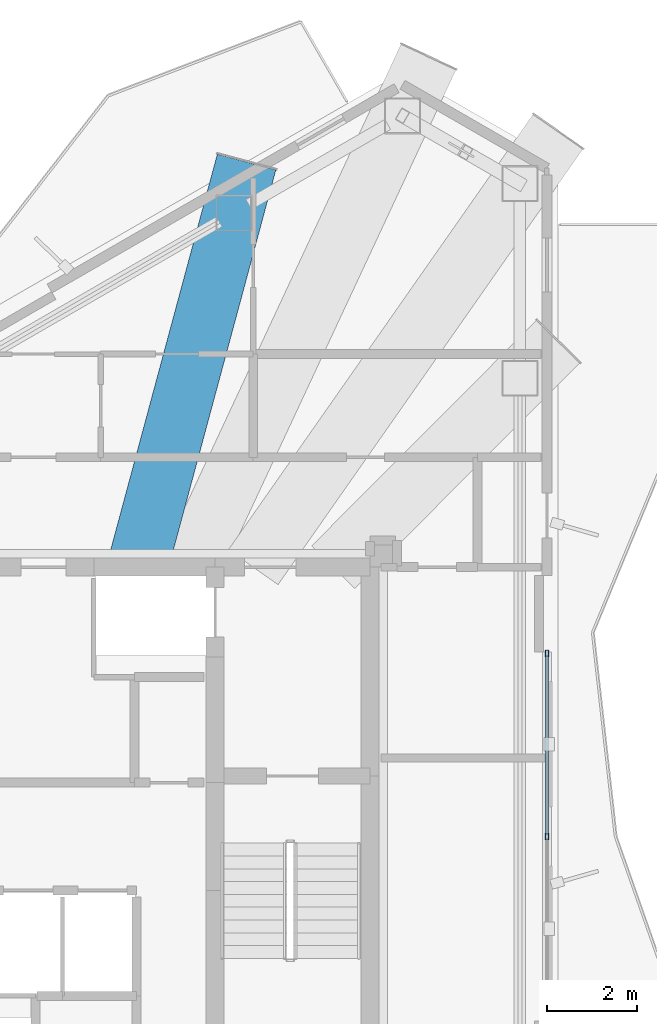
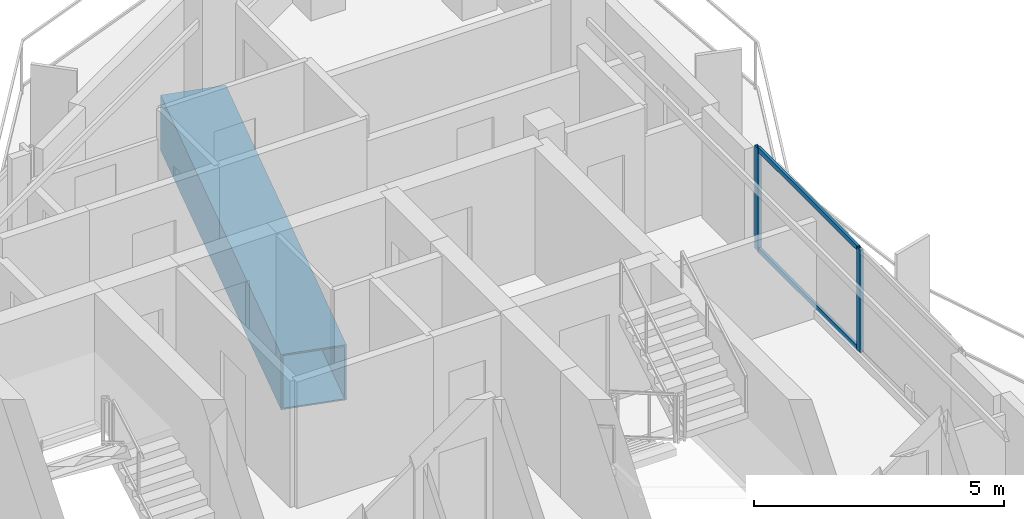
# One storey, part 10 of 17: 4 members, 1 beam, 1 element without a shape of its own.
"""IFC4 building model written with IfcOpenShell, lengths in metres."""

from ifc_helpers import new_model, si_unit, direction, frame, origin, origin_2d, place, context, subcontext, project, spatial, hollow_rectangle, extrude, material, layer, layer_set, material_profile, profile_set, type_object, element, aggregate, save


model = new_model("IFC4")

# Units and contexts
model_context = context("Model", 3, precision=1e-05, world=origin(), true_north=direction((0.0, 1.0)))
body_context = subcontext(model_context, "Body", "Model", "MODEL_VIEW")
ifc_project = project(units=[si_unit("LENGTHUNIT", "METRE"), si_unit("AREAUNIT", "SQUARE_METRE"), si_unit("VOLUMEUNIT", "CUBIC_METRE"), si_unit("PLANEANGLEUNIT", "RADIAN"), si_unit("MASSUNIT", "GRAM", prefix="KILO")], contexts=[model_context])

# Site, building, storey
site_placement = place(None, origin())
site = spatial("IfcSite", under=ifc_project, at=site_placement, CompositionType="ELEMENT")
building_placement = place(site_placement, origin())
building = spatial("IfcBuilding", under=site, at=building_placement, Name="Mersakhor Tower and Convention Hall", CompositionType="ELEMENT")
storey_placement = place(building_placement, frame((0.0, 0.0, 223.199951171875)))
storey = spatial("IfcBuildingStorey", under=building, at=storey_placement, Name="L62", CompositionType="ELEMENT", Elevation=223.199951171875)

# Beam
ifc_material_1 = material(Name="Steel S460", Category="steel")
ifc_material_profile_1 = material_profile(ifc_material_1, hollow_rectangle(XDim=1.35009765625, YDim=1.35009765625, WallThickness=0.035888671875, at=origin_2d()), Name="SHS 1350x1350x36")
ifc_profile_set_1 = profile_set([ifc_material_profile_1], Name="Steel S460")
beam_type = type_object("IfcBeamType", Name="BM-TR-BOX1350", PredefinedType="BEAM", material=ifc_profile_set_1)
beam_placement = place(storey_placement, frame((33.0517578125, 41.777587890625, -0.89501953125), z_axis=(-0.260330226876, -0.965519638834, 0.0), x_axis=(0.965519638834, -0.260330226876, 0.0)))
element("IfcBeam", 1, at=beam_placement, inside=storey, type_object=beam_type, Name="L62 Taper Step Transfer Girder STG-03", PredefinedType="BEAM", context=body_context, shape_type="SweptSolid", body=[
    extrude(hollow_rectangle(XDim=1.35009765625, YDim=1.35009765625, WallThickness=0.035888671875, at=origin_2d()), origin(), (0.0, 0.0, 1.0), 9.35009765625),
])

# Curtain wall, members
ifc_material_2 = material(Name="Dark solar low-E aluminium curtain wall", Category="aluminium")
ifc_layer = layer(ifc_material_2, 0.179931640625)
ifc_layer_set = layer_set([ifc_layer], Name="Dark solar low-E aluminium curtain wall")
curtain_wall_type = type_object("IfcCurtainWallType", Name="CW-SYS-03", PredefinedType="USERDEFINED", material=ifc_layer_set)
curtain_wall_placement = place(storey_placement, origin())
curtain_wall = element("IfcCurtainWall", 2, at=curtain_wall_placement, inside=storey, type_object=curtain_wall_type, Name="L62 Dark-Glass Curtain Wall F2-B2", ObjectType="CURTAIN WALL", PredefinedType="USERDEFINED")
ifc_material_3 = material(Name="Anodised aluminium EN AW-6063 T6", Category="aluminium")
ifc_material_profile_2 = material_profile(ifc_material_3, hollow_rectangle(XDim=0.074951171875, YDim=0.14990234375, WallThickness=0.00634765625, at=origin_2d()), Name="RHS 150x75x6.3")
ifc_profile_set_2 = profile_set([ifc_material_profile_2], Name="Anodised aluminium EN AW-6063 T6")
member_type_1 = type_object("IfcMemberType", Name="CWM-150x75", PredefinedType="MULLION", material=ifc_profile_set_2)
member_1_placement = place(storey_placement, frame((39.742919921875, 30.826416015625, 0.199951171875), z_axis=(0.0, 0.0, 1.0), x_axis=(1.0, 0.0, 0.0)))
member_1 = element("IfcMember", 3, at=member_1_placement, type_object=member_type_1, Name="CW-03 mullion 1", PredefinedType="MULLION", context=body_context, shape_type="SweptSolid", body=[
    extrude(hollow_rectangle(XDim=0.074951171875, YDim=0.14990234375, WallThickness=0.00634765625, at=origin_2d()), origin(), (0.0, 0.0, 1.0), 2.5),
])
member_2_placement = place(storey_placement, frame((39.742919921875, 26.75, 0.199951171875), z_axis=(0.0, 0.0, 1.0), x_axis=(1.0, 0.0, 0.0)))
member_2 = element("IfcMember", 4, at=member_2_placement, type_object=member_type_1, Name="CW-03 mullion 2", PredefinedType="MULLION", context=body_context, shape_type="SweptSolid", body=[
    extrude(hollow_rectangle(XDim=0.074951171875, YDim=0.14990234375, WallThickness=0.00634765625, at=origin_2d()), origin(), (0.0, 0.0, 1.0), 2.5),
])
ifc_material_4 = material(Name="Anodised aluminium EN AW-6063 T6", Category="aluminium")
ifc_material_profile_3 = material_profile(ifc_material_4, hollow_rectangle(XDim=0.06005859375, YDim=0.1201171875, WallThickness=0.0048828125, at=origin_2d()), Name="RHS 120x60x5")
ifc_profile_set_3 = profile_set([ifc_material_profile_3], Name="Anodised aluminium EN AW-6063 T6")
member_type_2 = type_object("IfcMemberType", Name="CWT-120x60", PredefinedType="USERDEFINED", material=ifc_profile_set_3)
member_3_placement = place(storey_placement, frame((39.742919921875, 30.788818359375, 0.22998046875), z_axis=(0.0, -1.0, 0.0), x_axis=(1.0, 0.0, 0.0)))
member_3 = element("IfcMember", 5, at=member_3_placement, type_object=member_type_2, Name="CW-03 transom 1.1", ObjectType="TRANSOM", PredefinedType="USERDEFINED", context=body_context, shape_type="SweptSolid", body=[
    extrude(hollow_rectangle(XDim=0.06005859375, YDim=0.1201171875, WallThickness=0.0048828125, at=origin_2d()), origin(), (0.0, 0.0, 1.0), 4.001220703125),
])
member_4_placement = place(storey_placement, frame((39.742919921875, 30.788818359375, 2.670166015625), z_axis=(0.0, -1.0, 0.0), x_axis=(1.0, 0.0, 0.0)))
member_4 = element("IfcMember", 6, at=member_4_placement, type_object=member_type_2, Name="CW-03 transom 1.2", ObjectType="TRANSOM", PredefinedType="USERDEFINED", context=body_context, shape_type="SweptSolid", body=[
    extrude(hollow_rectangle(XDim=0.06005859375, YDim=0.1201171875, WallThickness=0.0048828125, at=origin_2d()), origin(), (0.0, 0.0, 1.0), 4.001220703125),
])
aggregate(curtain_wall, [member_1, member_2, member_3, member_4])

save(model, "model.ifc")
